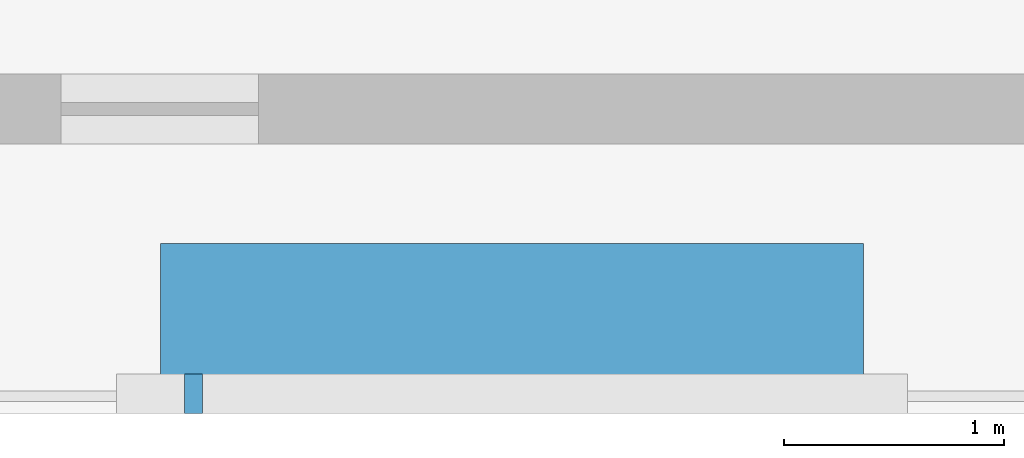
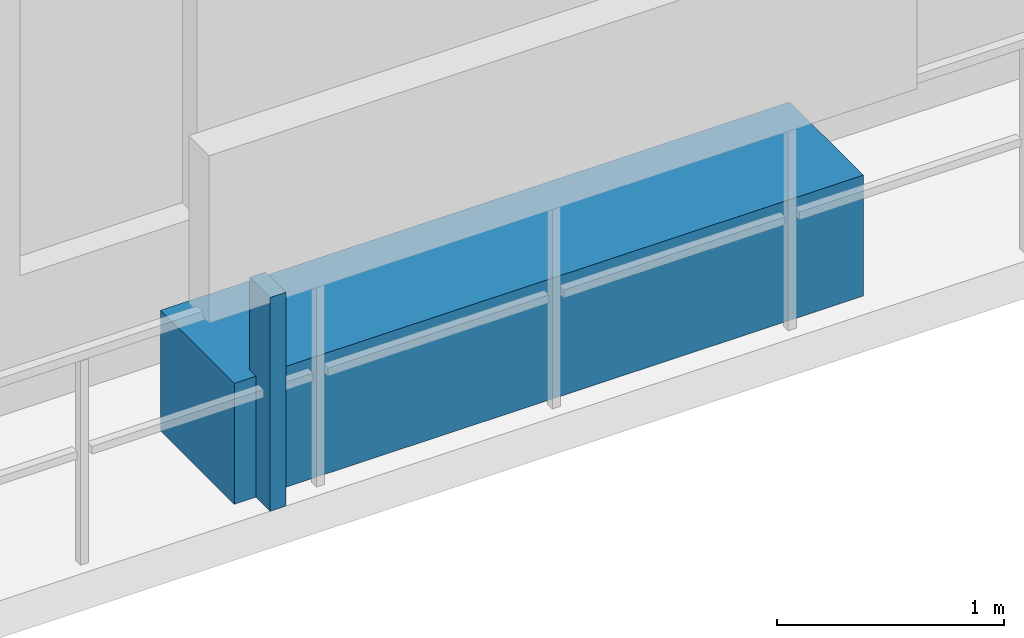
# One storey, part 30 of 35: 2 discrete accessories.
"""IFC4 building model written with IfcOpenShell, lengths in metres."""

from ifc_helpers import new_model, si_unit, direction, frame, origin, origin_2d, place, context, subcontext, project, spatial, rectangle, extrude, material, type_object, element, save


model = new_model("IFC4")

# Units and contexts
model_context = context("Model", 3, precision=1e-05, world=origin(), true_north=direction((0.0, 1.0)))
body_context = subcontext(model_context, "Body", "Model", "MODEL_VIEW")
ifc_project = project(units=[si_unit("LENGTHUNIT", "METRE"), si_unit("AREAUNIT", "SQUARE_METRE"), si_unit("VOLUMEUNIT", "CUBIC_METRE"), si_unit("PLANEANGLEUNIT", "RADIAN"), si_unit("MASSUNIT", "GRAM", prefix="KILO")], contexts=[model_context])

# Site, building, storey
site_placement = place(None, origin())
site = spatial("IfcSite", under=ifc_project, at=site_placement, CompositionType="ELEMENT")
building_placement = place(site_placement, origin())
building = spatial("IfcBuilding", under=site, at=building_placement, Name="Thornwick Lancets Civic Towers", CompositionType="ELEMENT")
storey_placement = place(building_placement, frame((0.0, 0.0, 265.5)))
storey = spatial("IfcBuildingStorey", under=building, at=storey_placement, Name="L71", CompositionType="ELEMENT", Elevation=265.5)

# Discrete accessories
ifc_material_1 = material(Name="Planted terracotta greenery planter", Category="masonry")
discrete_accessory_type_1 = type_object("IfcDiscreteAccessoryType", Name="ACC_PLANTER_BOX", PredefinedType="USERDEFINED", material=ifc_material_1)
discrete_accessory_1_placement = place(storey_placement, frame((25.5, 2.300048828125, 0.0), z_axis=(0.0, 0.0, 1.0), x_axis=(1.0, 0.0, 0.0)))
element("IfcDiscreteAccessory", 1, at=discrete_accessory_1_placement, inside=storey, type_object=discrete_accessory_type_1, Name="L71 Tower A Balcony Greenery Planter S", ObjectType="PLANTER", PredefinedType="USERDEFINED", context=body_context, shape_type="SweptSolid", body=[
    extrude(rectangle(XDim=3.199951171875, YDim=0.64990234375, at=origin_2d()), origin(), (0.0, 0.0, 1.0), 0.64990234375),
])
ifc_material_2 = material(Name="Stainless steel S355", Category="steel")
discrete_accessory_type_2 = type_object("IfcDiscreteAccessoryType", Name="ACC_SCREEN_BRACKET", PredefinedType="BRACKET", material=ifc_material_2)
discrete_accessory_2_placement = place(storey_placement, frame((24.050048828125, 1.93994140625, 0.0), z_axis=(0.0, 0.0, 1.0), x_axis=(1.0, 0.0, 0.0)))
element("IfcDiscreteAccessory", 2, at=discrete_accessory_2_placement, inside=storey, type_object=discrete_accessory_type_2, Name="L71 Tower A Balcony Screen Stanchion Bracket S-1", PredefinedType="BRACKET", context=body_context, shape_type="SweptSolid", body=[
    extrude(rectangle(XDim=0.080078125, YDim=0.179931640625, at=origin_2d()), origin(), (0.0, 0.0, 1.0), 1.14990234375),
])

save(model, "model.ifc")
